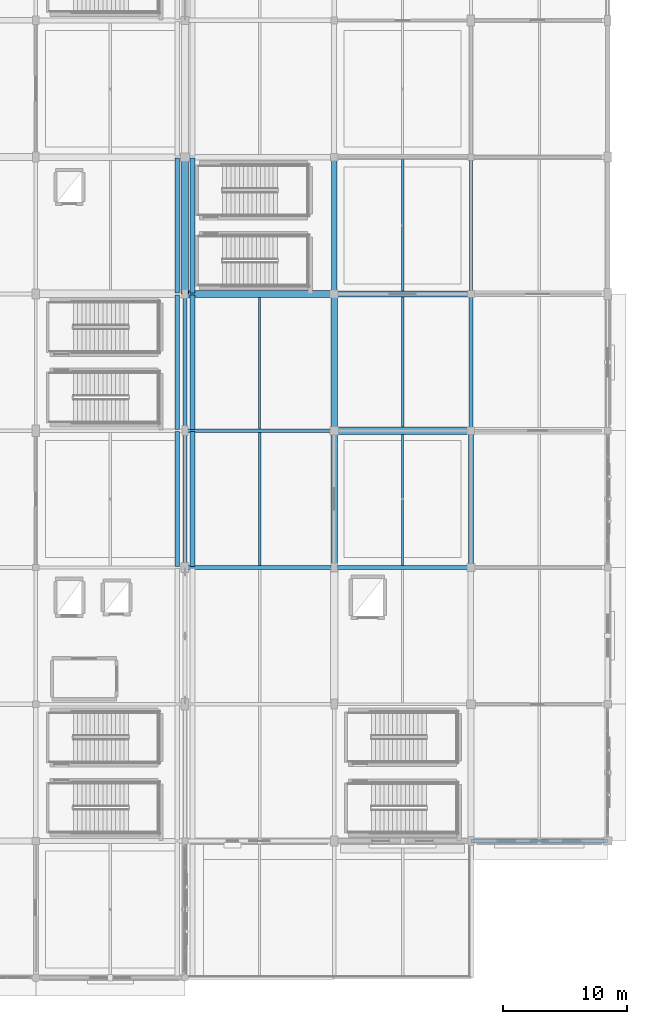
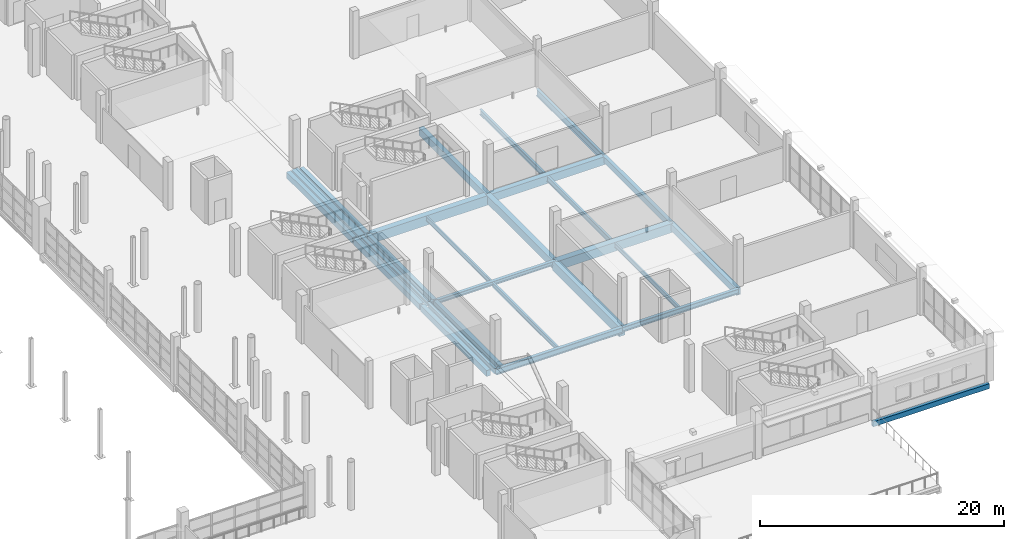
# One storey, part 61 of 143: 27 beams.
"""IFC4 building model written with IfcOpenShell, lengths in metres."""

import ifcopenshell
import ifcopenshell.guid

model = None  # the IFC model being written
_history = None  # IfcOwnerHistory: only IFC2X3 demands one
_inside = {}  # id of a spatial element -> (the spatial element, [elements in it])
_under = {}  # id of a project, library or spatial element -> (it, [spatial elements below it])
_declared = {}  # id of a project -> (the project, [libraries it declares])
_typed = {}  # id of a type object -> (the type object, [elements of that type])
_made_of = {}  # id of a material, layer set ... -> (it, [elements and type objects made of it])


def new_model(schema):
    """Start an empty IFC model of exactly this schema.

    Asked for "IFC4X3", IfcOpenShell would pick the latest addendum, in which some entities
    have other attributes; the version numbers below select the first issue.
    IFC2X3 requires an IfcOwnerHistory on every rooted entity: one is made here for all.
    """
    global model, _history
    if schema == "IFC4X3":
        model = ifcopenshell.file(schema_version=(4, 3, 0, 0))
    else:
        model = ifcopenshell.file(schema=schema)
    _inside.clear()
    _under.clear()
    _declared.clear()
    _typed.clear()
    _made_of.clear()
    _history = None
    if model.schema == "IFC2X3":
        org = make("IfcOrganization", Name="unknown")
        user = make(
            "IfcPersonAndOrganization",
            ThePerson=make("IfcPerson", FamilyName="unknown"),
            TheOrganization=org,
        )
        app = make(
            "IfcApplication",
            ApplicationDeveloper=org,
            Version="unknown",
            ApplicationFullName="unknown",
            ApplicationIdentifier="unknown",
        )
        _history = make(
            "IfcOwnerHistory",
            OwningUser=user,
            OwningApplication=app,
            ChangeAction="ADDED",
            CreationDate=0,
        )
    return model


def make(cls, **values):
    """One entity of the class cls with the attributes given. An attribute that is None is left unset."""
    return model.create_entity(
        cls, **{name: value for name, value in values.items() if value is not None}
    )


def rooted(cls, **values):
    """An entity with a GlobalId (a new one), such as an element, a storey or a relation."""
    return make(cls, GlobalId=ifcopenshell.guid.new(), OwnerHistory=_history, **values)


def si_unit(unit_type, name, prefix=None):
    """IfcSIUnit, for example si_unit("LENGTHUNIT", "METRE", prefix="MILLI")."""
    return make("IfcSIUnit", UnitType=unit_type, Prefix=prefix, Name=name)


def assignment(units):
    """IfcUnitAssignment: the units of a project."""
    return None if units is None else make("IfcUnitAssignment", Units=units)


def point(xyz):
    """IfcCartesianPoint."""
    return None if xyz is None else make("IfcCartesianPoint", Coordinates=xyz)


def direction(xyz):
    """IfcDirection."""
    return None if xyz is None else make("IfcDirection", DirectionRatios=xyz)


def frame(location, z_axis=None, x_axis=None):
    """IfcAxis2Placement3D, a coordinate frame: its origin and axes. An axis left out is left unset."""
    return make(
        "IfcAxis2Placement3D",
        Location=point(location),
        Axis=direction(z_axis),
        RefDirection=direction(x_axis),
    )


def frame_2d(location, x_axis=None):
    """IfcAxis2Placement2D, a coordinate frame in the plane: its origin and x axis."""
    return make(
        "IfcAxis2Placement2D", Location=point(location), RefDirection=direction(x_axis)
    )


def origin():
    """The frame at (0, 0, 0) with its axes left unset."""
    return frame((0.0, 0.0, 0.0))


def origin_2d():
    """The frame at (0, 0) in the plane with its x axis left unset."""
    return frame_2d((0.0, 0.0))


def place(relative_to, where):
    """IfcLocalPlacement: puts the frame where relative to a parent placement (None: the world)."""
    return make(
        "IfcLocalPlacement", PlacementRelTo=relative_to, RelativePlacement=where
    )


def context(
    kind, dimensions, precision=None, world=None, true_north=None, identifier=None
):
    """IfcGeometricRepresentationContext, for example the 3D "Model" context."""
    return make(
        "IfcGeometricRepresentationContext",
        ContextIdentifier=identifier,
        ContextType=kind,
        CoordinateSpaceDimension=dimensions,
        Precision=precision,
        WorldCoordinateSystem=world,
        TrueNorth=true_north,
    )


def subcontext(parent, identifier, kind, view, scale=None):
    """IfcGeometricRepresentationSubContext, for example "Body" below "Model"."""
    return make(
        "IfcGeometricRepresentationSubContext",
        ContextIdentifier=identifier,
        ContextType=kind,
        ParentContext=parent,
        TargetScale=scale,
        TargetView=view,
    )


def project(units=None, contexts=None):
    """IfcProject with its units and contexts."""
    return rooted(
        "IfcProject",
        Name="project",
        RepresentationContexts=contexts,
        UnitsInContext=assignment(units),
    )


def spatial(cls, under=None, at=None, **own):
    """A site, building, storey or space (cls), placed at a placement, below another one or the project."""
    s = rooted(cls, ObjectPlacement=at, **own)
    if under is not None:
        _under.setdefault(under.id(), (under, []))[1].append(s)
    return s


def profile(cls, at=None, kind="AREA", **sizes):
    """A parametric profile (cls). Its sizes go by their IFC names, for example OverallWidth=200.0."""
    return make(cls, ProfileType=kind, Position=at, **sizes)


def rectangle(**sizes):
    """IfcRectangleProfileDef."""
    return profile("IfcRectangleProfileDef", **sizes)


def hollow_rectangle(**sizes):
    """IfcRectangleHollowProfileDef."""
    return profile("IfcRectangleHollowProfileDef", **sizes)


def i_section(**sizes):
    """IfcIShapeProfileDef."""
    return profile("IfcIShapeProfileDef", **sizes)


def extrude(swept, where, along, depth):
    """IfcExtrudedAreaSolid: the profile swept, set in the frame where, extruded along a direction by depth."""
    return make(
        "IfcExtrudedAreaSolid",
        SweptArea=swept,
        Position=where,
        ExtrudedDirection=direction(along),
        Depth=depth,
    )


def shape(context_of_items, identifier, shape_type, items):
    """IfcShapeRepresentation: the items that make up one representation, for example the "Body"."""
    return make(
        "IfcShapeRepresentation",
        ContextOfItems=context_of_items,
        RepresentationIdentifier=identifier,
        RepresentationType=shape_type,
        Items=items,
    )


def material(Name=None, Category=None):
    """IfcMaterial."""
    return make("IfcMaterial", Name=Name, Category=Category)


def material_profile(
    of_material, cross_section, Name=None, Category=None, Priority=None
):
    """IfcMaterialProfile: a cross section and its material."""
    return make(
        "IfcMaterialProfile",
        Name=Name,
        Material=of_material,
        Profile=cross_section,
        Priority=Priority,
        Category=Category,
    )


def profile_set(profiles, Name=None, composite=None):
    """IfcMaterialProfileSet."""
    return make(
        "IfcMaterialProfileSet",
        Name=Name,
        MaterialProfiles=profiles,
        CompositeProfile=composite,
    )


def made_of(thing, what):
    """Note that an element or type object is made of a material, layer set ...; save() writes the relation."""
    if what is not None:
        _made_of.setdefault(what.id(), (what, []))[1].append(thing)
    return thing


def type_object(cls, material=None, **own):
    """A type object (cls), such as IfcWallType, which elements share."""
    return made_of(rooted(cls, **own), material)


def element(
    cls,
    number,
    at=None,
    inside=None,
    cuts=None,
    type_object=None,
    material=None,
    context=None,
    identifier="Body",
    shape_type=None,
    held_by="IfcProductDefinitionShape",
    body=None,
    shapes=None,
    **own,
):
    """One element of the class cls, such as IfcWall. Its Tag is "e" and its number.

    at: its placement. inside: the storey or other place that contains it. cuts: it is an
    opening in that element (IfcRelVoidsElement). A single representation is given by context,
    identifier, shape_type and body (its items); several are given by shapes. held_by: the class
    of the entity that holds the representations. save() writes the other relations.
    """
    e = rooted(cls, Tag="e%d" % number, ObjectPlacement=at, **own)
    if body is not None:
        shapes = [shape(context, identifier, shape_type, body)]
    if shapes is not None:
        e.Representation = make(held_by, Representations=shapes)
    if inside is not None:
        _inside.setdefault(inside.id(), (inside, []))[1].append(e)
    if cuts is not None:
        rooted(
            "IfcRelVoidsElement", RelatingBuildingElement=cuts, RelatedOpeningElement=e
        )
    if type_object is not None:
        _typed.setdefault(type_object.id(), (type_object, []))[1].append(e)
    return made_of(e, material)


def aggregate(whole, parts):
    """IfcRelAggregates: a whole, such as a stair, and the parts it consists of."""
    return rooted("IfcRelAggregates", RelatingObject=whole, RelatedObjects=parts)


def save(model, path):
    """Write the relations noted so far, then the file.

    IfcRelAggregates (storeys below a building ...), IfcRelContainedInSpatialStructure (elements
    in a storey), IfcRelDefinesByType, IfcRelAssociatesMaterial and IfcRelDeclares: one each for
    every whole, place, type object, material and project.
    """
    for whole, parts in _under.values():
        aggregate(whole, parts)
    for where, things in _inside.values():
        rooted(
            "IfcRelContainedInSpatialStructure",
            RelatedElements=things,
            RelatingStructure=where,
        )
    for kind, things in _typed.values():
        rooted("IfcRelDefinesByType", RelatedObjects=things, RelatingType=kind)
    for what, things in _made_of.values():
        rooted("IfcRelAssociatesMaterial", RelatedObjects=things, RelatingMaterial=what)
    for by, libraries in _declared.values():
        rooted("IfcRelDeclares", RelatingContext=by, RelatedDefinitions=libraries)
    model.write(path)


model = new_model("IFC4")

# Units and contexts
model_context = context("Model", 3, precision=1e-05, world=origin(), true_north=direction((0.0, 1.0)))
body_context = subcontext(model_context, "Body", "Model", "MODEL_VIEW")
ifc_project = project(units=[si_unit("LENGTHUNIT", "METRE"), si_unit("AREAUNIT", "SQUARE_METRE"), si_unit("VOLUMEUNIT", "CUBIC_METRE"), si_unit("PLANEANGLEUNIT", "RADIAN"), si_unit("MASSUNIT", "GRAM", prefix="KILO")], contexts=[model_context])

# Site, building, storey
site_placement = place(None, origin())
site = spatial("IfcSite", under=ifc_project, at=site_placement, CompositionType="ELEMENT")
building_placement = place(site_placement, origin())
building = spatial("IfcBuilding", under=site, at=building_placement, Name="Luwafu Chhajja Arena", CompositionType="ELEMENT")
storey_placement = place(building_placement, frame((0.0, 0.0, 5.39990234375)))
storey = spatial("IfcBuildingStorey", under=building, at=storey_placement, Name="L01", CompositionType="ELEMENT", Elevation=5.39990234375)

# Beams
ifc_material_1 = material(Name="Concrete C35/45", Category="concrete")
ifc_material_profile_1 = material_profile(ifc_material_1, rectangle(XDim=0.35009765625, YDim=0.60009765625, at=origin_2d()), Name="RC 350x600")
ifc_profile_set_1 = profile_set([ifc_material_profile_1], Name="Concrete C35/45")
beam_type_1 = type_object("IfcBeamType", Name="Arcade Tie Beam RC 350x600", PredefinedType="BEAM", material=ifc_profile_set_1)
beam_1_placement = place(storey_placement, frame((187.0, 44.0, -0.6298828125), z_axis=(0.0, 1.0, 0.0), x_axis=(-1.0, 0.0, 0.0)))
element("IfcBeam", 1, at=beam_1_placement, inside=storey, type_object=beam_type_1, Name="L01 Grid Beam 17/E-F", PredefinedType="BEAM", context=body_context, shape_type="SweptSolid", body=[
    extrude(rectangle(XDim=0.35009765625, YDim=0.60009765625, at=origin_2d()), origin(), (0.0, 0.0, 1.0), 11.0),
])
ifc_material_profile_2 = material_profile(ifc_material_1, rectangle(XDim=0.60009765625, YDim=0.89990234375, at=origin_2d()), Name="RC 600x900")
ifc_profile_set_2 = profile_set([ifc_material_profile_2], Name="Concrete C35/45")
beam_type_2 = type_object("IfcBeamType", Name="Concourse Primary Girder RC 600x900", PredefinedType="BEAM", material=ifc_profile_set_2)
for number, where, z_axis, x_axis, name in (
    (2, (176.0, 44.0, -0.77978515625), (1.0, 0.0, 0.0), (0.0, 1.0, 0.0), "L01 Grid Beam 16-17/E"),
    (3, (164.0, 55.0, -0.77978515625), (0.0, 1.0, 0.0), (-1.0, 0.0, 0.0), "L01 Grid Beam 15/F-G"),
):
    element("IfcBeam", number, at=place(storey_placement, frame(where, z_axis=z_axis, x_axis=x_axis)), inside=storey, type_object=beam_type_2, Name=name, PredefinedType="BEAM", context=body_context, shape_type="SweptSolid", body=[
        extrude(rectangle(XDim=0.60009765625, YDim=0.89990234375, at=origin_2d()), origin(), (0.0, 0.0, 1.0), 11.0),
    ])
ifc_material_profile_3 = material_profile(ifc_material_1, rectangle(XDim=0.550048828125, YDim=0.949951171875, at=origin_2d()), Name="RC 550x950")
ifc_profile_set_3 = profile_set([ifc_material_profile_3], Name="Concrete C35/45")
beam_type_3 = type_object("IfcBeamType", Name="Concourse Radial Girder RC 550x950", PredefinedType="BEAM", material=ifc_profile_set_3)
beam_2_placement = place(storey_placement, frame((164.0, 55.0, -0.804931640625), z_axis=(1.0, 0.0, 0.0), x_axis=(0.0, 1.0, 0.0)))
element("IfcBeam", 4, at=beam_2_placement, inside=storey, type_object=beam_type_3, Name="L01 Grid Beam 15-16/F", PredefinedType="BEAM", context=body_context, shape_type="SweptSolid", body=[
    extrude(rectangle(XDim=0.550048828125, YDim=0.949951171875, at=origin_2d()), origin(), (0.0, 0.0, 1.0), 12.0),
])
beam_3_placement = place(storey_placement, frame((176.0, 33.0, -0.804931640625), z_axis=(0.0, 1.0, 0.0), x_axis=(-1.0, 0.0, 0.0)))
element("IfcBeam", 5, at=beam_3_placement, inside=storey, type_object=beam_type_3, Name="L01 Grid Beam 16/D-E", PredefinedType="BEAM", context=body_context, shape_type="SweptSolid", body=[
    extrude(rectangle(XDim=0.550048828125, YDim=0.949951171875, at=origin_2d()), origin(), (0.0, 0.0, 1.0), 11.0),
])
ifc_material_2 = material(Name="Steel S355", Category="steel")
ifc_material_profile_4 = material_profile(ifc_material_2, i_section(OverallWidth=0.15283203125, OverallDepth=0.45458984375, WebThickness=0.008056640625, FlangeThickness=0.01318359375, at=origin_2d()), Name="UB 457x152x60")
ifc_profile_set_4 = profile_set([ifc_material_profile_4], Name="Steel S355")
beam_type_4 = type_object("IfcBeamType", Name="Floor Joist UB 457x152x60", PredefinedType="JOIST", material=ifc_profile_set_4)
beam_4_placement = place(storey_placement, frame((170.0, 44.14990234375, -0.55712890625), z_axis=(0.0, 1.0, 0.0), x_axis=(-1.0, 0.0, 0.0)))
element("IfcBeam", 6, at=beam_4_placement, inside=storey, type_object=beam_type_4, Name="L01 Secondary Joist 15-16/E", PredefinedType="JOIST", context=body_context, shape_type="SweptSolid", body=[
    extrude(i_section(OverallWidth=0.15283203125, OverallDepth=0.45458984375, WebThickness=0.008056640625, FlangeThickness=0.01318359375, at=origin_2d()), origin(), (0.0, 0.0, 1.0), 10.5751953125),
])
beam_5_placement = place(storey_placement, frame((181.5, 33.14990234375, -0.55712890625), z_axis=(0.0, 1.0, 0.0), x_axis=(-1.0, 0.0, 0.0)))
element("IfcBeam", 7, at=beam_5_placement, inside=storey, type_object=beam_type_4, Name="L01 Secondary Joist 16-17/D", PredefinedType="JOIST", context=body_context, shape_type="SweptSolid", body=[
    extrude(i_section(OverallWidth=0.15283203125, OverallDepth=0.45458984375, WebThickness=0.008056640625, FlangeThickness=0.01318359375, at=origin_2d()), origin(), (0.0, 0.0, 1.0), 10.550048828125),
])
ifc_material_profile_5 = material_profile(ifc_material_2, i_section(OverallWidth=0.19140625, OverallDepth=0.4599609375, WebThickness=0.010009765625, FlangeThickness=0.01611328125, at=origin_2d()), Name="UB 457x191x82")
ifc_profile_set_5 = profile_set([ifc_material_profile_5], Name="Steel S355")
beam_type_5 = type_object("IfcBeamType", Name="Floor Joist UB 457x191x82", PredefinedType="JOIST", material=ifc_profile_set_5)
beam_6_placement = place(storey_placement, frame((170.0, 33.14990234375, -0.559814453125), z_axis=(0.0, 1.0, 0.0), x_axis=(-1.0, 0.0, 0.0)))
element("IfcBeam", 8, at=beam_6_placement, inside=storey, type_object=beam_type_5, Name="L01 Secondary Joist 15-16/D", PredefinedType="JOIST", context=body_context, shape_type="SweptSolid", body=[
    extrude(i_section(OverallWidth=0.19140625, OverallDepth=0.4599609375, WebThickness=0.010009765625, FlangeThickness=0.01611328125, at=origin_2d()), origin(), (0.0, 0.0, 1.0), 10.7001953125),
])
ifc_material_profile_6 = material_profile(ifc_material_2, i_section(OverallWidth=0.2099609375, OverallDepth=0.53662109375, WebThickness=0.0107421875, FlangeThickness=0.017333984375, at=origin_2d()), Name="UB 533x210x101")
ifc_profile_set_6 = profile_set([ifc_material_profile_6], Name="Steel S355")
beam_type_6 = type_object("IfcBeamType", Name="Floor Joist UB 533x210x101", PredefinedType="JOIST", material=ifc_profile_set_6)
beam_7_placement = place(storey_placement, frame((181.5, 44.300048828125, -0.59814453125), z_axis=(0.0, 1.0, 0.0), x_axis=(-1.0, 0.0, 0.0)))
element("IfcBeam", 9, at=beam_7_placement, inside=storey, type_object=beam_type_6, Name="L01 Secondary Joist 16-17/E", PredefinedType="JOIST", context=body_context, shape_type="SweptSolid", body=[
    extrude(i_section(OverallWidth=0.2099609375, OverallDepth=0.53662109375, WebThickness=0.0107421875, FlangeThickness=0.017333984375, at=origin_2d()), origin(), (0.0, 0.0, 1.0), 10.449951171875),
])
ifc_material_profile_7 = material_profile(ifc_material_2, i_section(OverallWidth=0.209228515625, OverallDepth=0.533203125, WebThickness=0.010009765625, FlangeThickness=0.015625, at=origin_2d()), Name="UB 533x210x92")
ifc_profile_set_7 = profile_set([ifc_material_profile_7], Name="Steel S355")
beam_type_7 = type_object("IfcBeamType", Name="Floor Joist UB 533x210x92", PredefinedType="JOIST", material=ifc_profile_set_7)
beam_8_placement = place(storey_placement, frame((181.5, 55.25, -0.596435546875), z_axis=(0.0, 1.0, 0.0), x_axis=(-1.0, 0.0, 0.0)))
element("IfcBeam", 10, at=beam_8_placement, inside=storey, type_object=beam_type_7, Name="L01 Secondary Joist 16-17/F", PredefinedType="JOIST", context=body_context, shape_type="SweptSolid", body=[
    extrude(i_section(OverallWidth=0.209228515625, OverallDepth=0.533203125, WebThickness=0.010009765625, FlangeThickness=0.015625, at=origin_2d()), origin(), (0.0, 0.0, 1.0), 10.550048828125),
])
ifc_material_profile_8 = material_profile(ifc_material_1, rectangle(XDim=0.5, YDim=0.800048828125, at=origin_2d()), Name="RC 500x800")
ifc_profile_set_8 = profile_set([ifc_material_profile_8], Name="Concrete C35/45")
beam_type_8 = type_object("IfcBeamType", Name="Hospitality Primary Beam RC 500x800", PredefinedType="BEAM", material=ifc_profile_set_8)
for number, where, z_axis, x_axis, name in (
    (11, (176.0, 55.0, -0.72998046875), (1.0, 0.0, 0.0), (0.0, 1.0, 0.0), "L01 Grid Beam 16-17/F"),
    (12, (176.0, 44.0, -0.72998046875), (0.0, 1.0, 0.0), (-1.0, 0.0, 0.0), "L01 Grid Beam 16/E-F"),
):
    element("IfcBeam", number, at=place(storey_placement, frame(where, z_axis=z_axis, x_axis=x_axis)), inside=storey, type_object=beam_type_8, Name=name, PredefinedType="BEAM", context=body_context, shape_type="SweptSolid", body=[
        extrude(rectangle(XDim=0.5, YDim=0.800048828125, at=origin_2d()), origin(), (0.0, 0.0, 1.0), 11.0),
    ])
ifc_material_profile_9 = material_profile(ifc_material_2, hollow_rectangle(XDim=0.300048828125, YDim=0.5, WallThickness=0.02001953125, at=origin_2d()), Name="RHS 500x300x20")
ifc_profile_set_9 = profile_set([ifc_material_profile_9], Name="Steel S355")
beam_type_9 = type_object("IfcBeamType", Name="Pleated Drum Spandrel Beam RHS 500x300", PredefinedType="SPANDREL", material=ifc_profile_set_9)
beam_9_placement = place(storey_placement, frame((187.0, 11.0, -0.579833984375), z_axis=(1.0, 0.0, 0.0), x_axis=(0.0, 1.0, 0.0)))
element("IfcBeam", 13, at=beam_9_placement, inside=storey, type_object=beam_type_9, Name="L01 Grid Beam 17-18/B", PredefinedType="SPANDREL", context=body_context, shape_type="SweptSolid", body=[
    extrude(hollow_rectangle(XDim=0.300048828125, YDim=0.5, WallThickness=0.02001953125, at=origin_2d()), origin(), (0.0, 0.0, 1.0), 11.0),
])
ifc_material_profile_10 = material_profile(ifc_material_1, rectangle(XDim=0.39990234375, YDim=0.60009765625, at=origin_2d()), Name="RC 400x600")
ifc_profile_set_10 = profile_set([ifc_material_profile_10], Name="Concrete C35/45")
beam_type_10 = type_object("IfcBeamType", Name="Podium Perimeter Spandrel RC 400x600", PredefinedType="SPANDREL", material=ifc_profile_set_10)
for number, where, z_axis, x_axis, name in (
    (14, (163.3798828125, 33.080078125, -0.6298828125), (0.0, 1.0, 0.0), (-1.0, 0.0, 0.0), "L01 Movement Joint MJ2W Seat Girder 03"),
    (15, (163.3798828125, 44.080078125, -0.6298828125), (0.0, 1.0, 0.0), (-1.0, 0.0, 0.0), "L01 Movement Joint MJ2W Seat Girder 04"),
    (16, (163.3798828125, 55.080078125, -0.6298828125), (0.0, 1.0, 0.0), (-1.0, 0.0, 0.0), "L01 Movement Joint MJ2W Seat Girder 05"),
    (17, (164.6201171875, 33.080078125, -0.6298828125), (0.0, 1.0, 0.0), (-1.0, 0.0, 0.0), "L01 Movement Joint MJ2E Seat Girder 03"),
    (18, (164.6201171875, 44.080078125, -0.6298828125), (0.0, 1.0, 0.0), (-1.0, 0.0, 0.0), "L01 Movement Joint MJ2E Seat Girder 04"),
    (19, (164.6201171875, 55.080078125, -0.6298828125), (0.0, 1.0, 0.0), (-1.0, 0.0, 0.0), "L01 Movement Joint MJ2E Seat Girder 05"),
):
    element("IfcBeam", number, at=place(storey_placement, frame(where, z_axis=z_axis, x_axis=x_axis)), inside=storey, type_object=beam_type_10, Name=name, PredefinedType="SPANDREL", context=body_context, shape_type="SweptSolid", body=[
        extrude(rectangle(XDim=0.39990234375, YDim=0.60009765625, at=origin_2d()), origin(), (0.0, 0.0, 1.0), 10.83984375),
    ])
ifc_material_profile_11 = material_profile(ifc_material_2, i_section(OverallWidth=0.300048828125, OverallDepth=0.5, WebThickness=0.014404296875, FlangeThickness=0.028076171875, at=origin_2d()), Name="HEB 500")
ifc_profile_set_11 = profile_set([ifc_material_profile_11], Name="Steel S355")
beam_type_11 = type_object("IfcBeamType", Name="Steel Atrium Tie Girder HEB 500", PredefinedType="BEAM", material=ifc_profile_set_11)
for number, where, z_axis, x_axis, name in (
    (20, (176.0, 33.0, -0.579833984375), (1.0, 0.0, 0.0), (0.0, 1.0, 0.0), "L01 Grid Beam 16-17/D"),
    (21, (164.0, 33.0, -0.579833984375), (0.0, 1.0, 0.0), (-1.0, 0.0, 0.0), "L01 Grid Beam 15/D-E"),
):
    element("IfcBeam", number, at=place(storey_placement, frame(where, z_axis=z_axis, x_axis=x_axis)), inside=storey, type_object=beam_type_11, Name=name, PredefinedType="BEAM", context=body_context, shape_type="SweptSolid", body=[
        extrude(i_section(OverallWidth=0.300048828125, OverallDepth=0.5, WebThickness=0.014404296875, FlangeThickness=0.028076171875, at=origin_2d()), origin(), (0.0, 0.0, 1.0), 11.0),
    ])
ifc_material_profile_12 = material_profile(ifc_material_2, i_section(OverallWidth=0.253662109375, OverallDepth=0.68359375, WebThickness=0.012451171875, FlangeThickness=0.01904296875, at=origin_2d()), Name="UB 686x254x140")
ifc_profile_set_12 = profile_set([ifc_material_profile_12], Name="Steel S355")
beam_type_12 = type_object("IfcBeamType", Name="Steel Concourse Girder UB 686x254x140", PredefinedType="BEAM", material=ifc_profile_set_12)
beam_10_placement = place(storey_placement, frame((187.0, 55.0, -0.671630859375), z_axis=(0.0, 1.0, 0.0), x_axis=(-1.0, 0.0, 0.0)))
element("IfcBeam", 22, at=beam_10_placement, inside=storey, type_object=beam_type_12, Name="L01 Grid Beam 17/F-G", PredefinedType="BEAM", context=body_context, shape_type="SweptSolid", body=[
    extrude(i_section(OverallWidth=0.253662109375, OverallDepth=0.68359375, WebThickness=0.012451171875, FlangeThickness=0.01904296875, at=origin_2d()), origin(), (0.0, 0.0, 1.0), 11.0),
])
ifc_material_profile_13 = material_profile(ifc_material_2, i_section(OverallWidth=0.300048828125, OverallDepth=0.60009765625, WebThickness=0.015380859375, FlangeThickness=0.030029296875, at=origin_2d()), Name="HEB 600")
ifc_profile_set_13 = profile_set([ifc_material_profile_13], Name="Steel S355")
beam_type_13 = type_object("IfcBeamType", Name="Steel Gallery Girder HEB 600", PredefinedType="BEAM", material=ifc_profile_set_13)
beam_11_placement = place(storey_placement, frame((164.0, 33.0, -0.6298828125), z_axis=(1.0, 0.0, 0.0), x_axis=(0.0, 1.0, 0.0)))
element("IfcBeam", 23, at=beam_11_placement, inside=storey, type_object=beam_type_13, Name="L01 Grid Beam 15-16/D", PredefinedType="BEAM", context=body_context, shape_type="SweptSolid", body=[
    extrude(i_section(OverallWidth=0.300048828125, OverallDepth=0.60009765625, WebThickness=0.015380859375, FlangeThickness=0.030029296875, at=origin_2d()), origin(), (0.0, 0.0, 1.0), 12.0),
])
ifc_material_profile_14 = material_profile(ifc_material_2, i_section(OverallWidth=0.300048828125, OverallDepth=0.39990234375, WebThickness=0.013427734375, FlangeThickness=0.02392578125, at=origin_2d()), Name="HEB 400")
ifc_profile_set_14 = profile_set([ifc_material_profile_14], Name="Steel S355")
beam_type_14 = type_object("IfcBeamType", Name="Steel Rigging Grid Beam HEB 400", PredefinedType="BEAM", material=ifc_profile_set_14)
beam_12_placement = place(storey_placement, frame((164.0, 44.0, -0.52978515625), z_axis=(1.0, 0.0, 0.0), x_axis=(0.0, 1.0, 0.0)))
element("IfcBeam", 24, at=beam_12_placement, inside=storey, type_object=beam_type_14, Name="L01 Grid Beam 15-16/E", PredefinedType="BEAM", context=body_context, shape_type="SweptSolid", body=[
    extrude(i_section(OverallWidth=0.300048828125, OverallDepth=0.39990234375, WebThickness=0.013427734375, FlangeThickness=0.02392578125, at=origin_2d()), origin(), (0.0, 0.0, 1.0), 12.0),
])
beam_13_placement = place(storey_placement, frame((164.0, 44.0, -0.52978515625), z_axis=(0.0, 1.0, 0.0), x_axis=(-1.0, 0.0, 0.0)))
element("IfcBeam", 25, at=beam_13_placement, inside=storey, type_object=beam_type_14, Name="L01 Grid Beam 15/E-F", PredefinedType="BEAM", context=body_context, shape_type="SweptSolid", body=[
    extrude(i_section(OverallWidth=0.300048828125, OverallDepth=0.39990234375, WebThickness=0.013427734375, FlangeThickness=0.02392578125, at=origin_2d()), origin(), (0.0, 0.0, 1.0), 11.0),
])
ifc_material_profile_15 = material_profile(ifc_material_1, rectangle(XDim=0.39990234375, YDim=0.699951171875, at=origin_2d()), Name="RC 400x700")
ifc_profile_set_15 = profile_set([ifc_material_profile_15], Name="Concrete C35/45")
beam_type_15 = type_object("IfcBeamType", Name="Wing Frame Beam RC 400x700", PredefinedType="BEAM", material=ifc_profile_set_15)
beam_14_placement = place(storey_placement, frame((187.0, 33.0, -0.679931640625), z_axis=(0.0, 1.0, 0.0), x_axis=(-1.0, 0.0, 0.0)))
element("IfcBeam", 26, at=beam_14_placement, inside=storey, type_object=beam_type_15, Name="L01 Grid Beam 17/D-E", PredefinedType="BEAM", context=body_context, shape_type="SweptSolid", body=[
    extrude(rectangle(XDim=0.39990234375, YDim=0.699951171875, at=origin_2d()), origin(), (0.0, 0.0, 1.0), 11.0),
])
ifc_material_profile_16 = material_profile(ifc_material_1, rectangle(XDim=0.449951171875, YDim=0.75, at=origin_2d()), Name="RC 450x750")
ifc_profile_set_16 = profile_set([ifc_material_profile_16], Name="Concrete C35/45")
beam_type_16 = type_object("IfcBeamType", Name="Wing Primary Beam RC 450x750", PredefinedType="BEAM", material=ifc_profile_set_16)
beam_15_placement = place(storey_placement, frame((176.0, 55.0, -0.704833984375), z_axis=(0.0, 1.0, 0.0), x_axis=(-1.0, 0.0, 0.0)))
element("IfcBeam", 27, at=beam_15_placement, inside=storey, type_object=beam_type_16, Name="L01 Grid Beam 16/F-G", PredefinedType="BEAM", context=body_context, shape_type="SweptSolid", body=[
    extrude(rectangle(XDim=0.449951171875, YDim=0.75, at=origin_2d()), origin(), (0.0, 0.0, 1.0), 11.0),
])

save(model, "model.ifc")
